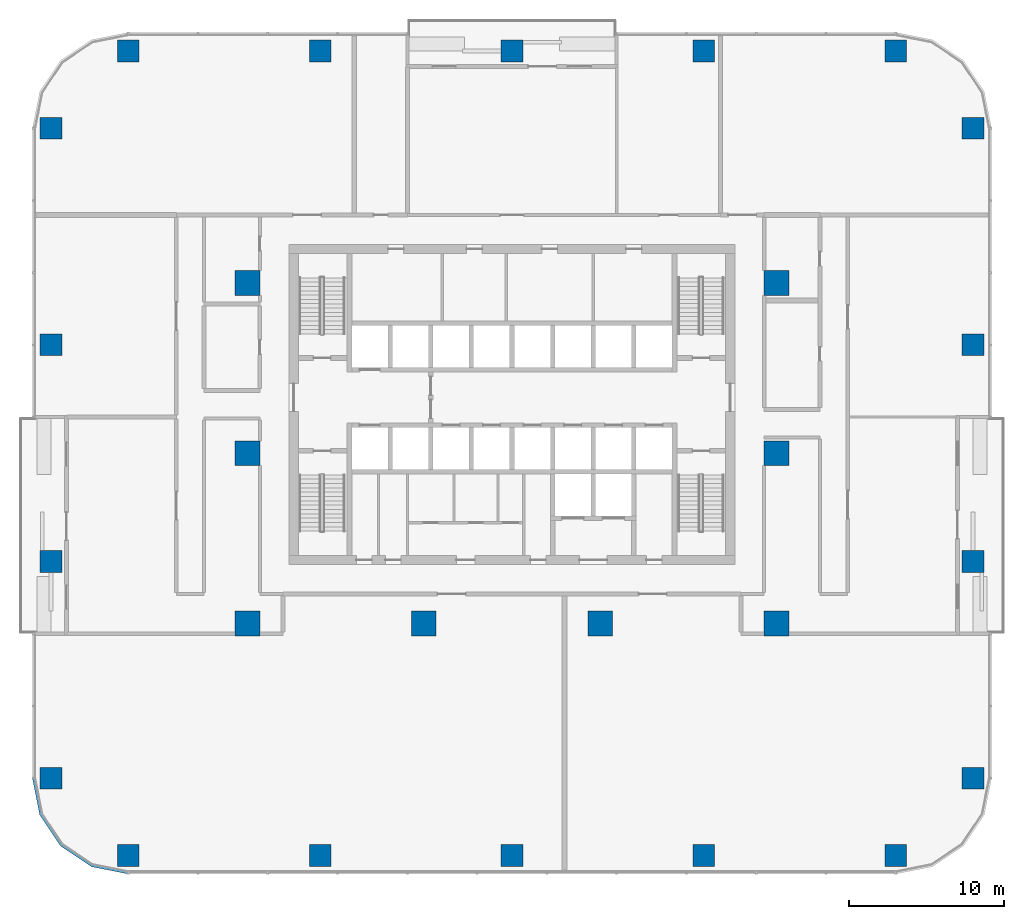
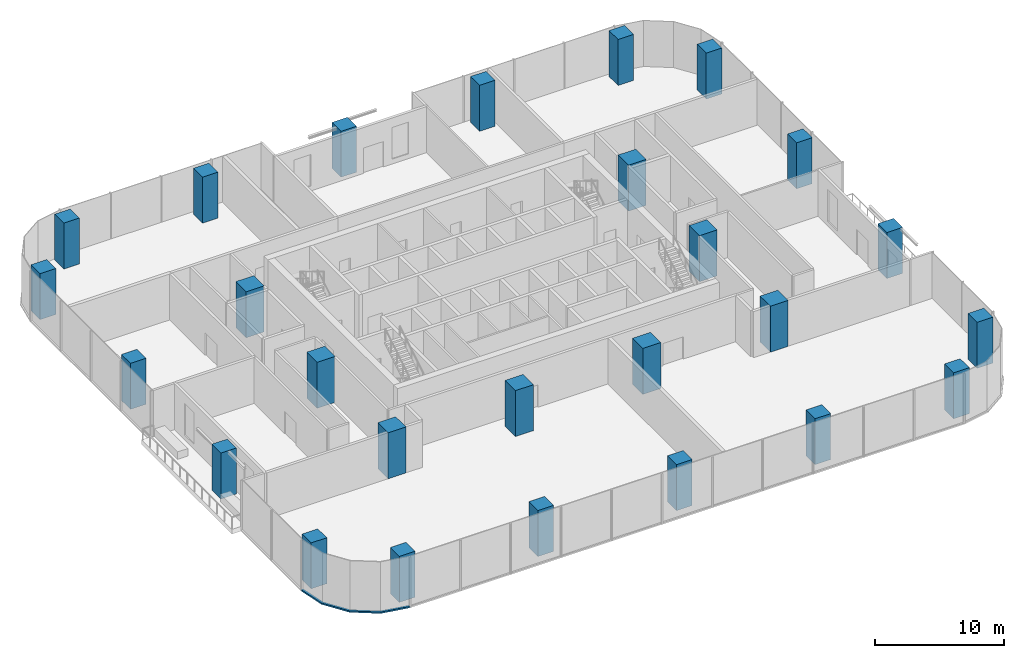
# One storey, part 1 of 14: 26 columns, 1 member, 1 element without a shape of its own.
"""IFC4 building model written with IfcOpenShell, lengths in metres."""

import ifcopenshell
import ifcopenshell.guid

model = None  # the IFC model being written
_history = None  # IfcOwnerHistory: only IFC2X3 demands one
_inside = {}  # id of a spatial element -> (the spatial element, [elements in it])
_under = {}  # id of a project, library or spatial element -> (it, [spatial elements below it])
_declared = {}  # id of a project -> (the project, [libraries it declares])
_typed = {}  # id of a type object -> (the type object, [elements of that type])
_made_of = {}  # id of a material, layer set ... -> (it, [elements and type objects made of it])


def new_model(schema):
    """Start an empty IFC model of exactly this schema.

    Asked for "IFC4X3", IfcOpenShell would pick the latest addendum, in which some entities
    have other attributes; the version numbers below select the first issue.
    IFC2X3 requires an IfcOwnerHistory on every rooted entity: one is made here for all.
    """
    global model, _history
    if schema == "IFC4X3":
        model = ifcopenshell.file(schema_version=(4, 3, 0, 0))
    else:
        model = ifcopenshell.file(schema=schema)
    _inside.clear()
    _under.clear()
    _declared.clear()
    _typed.clear()
    _made_of.clear()
    _history = None
    if model.schema == "IFC2X3":
        org = make("IfcOrganization", Name="unknown")
        user = make(
            "IfcPersonAndOrganization",
            ThePerson=make("IfcPerson", FamilyName="unknown"),
            TheOrganization=org,
        )
        app = make(
            "IfcApplication",
            ApplicationDeveloper=org,
            Version="unknown",
            ApplicationFullName="unknown",
            ApplicationIdentifier="unknown",
        )
        _history = make(
            "IfcOwnerHistory",
            OwningUser=user,
            OwningApplication=app,
            ChangeAction="ADDED",
            CreationDate=0,
        )
    return model


def make(cls, **values):
    """One entity of the class cls with the attributes given. An attribute that is None is left unset."""
    return model.create_entity(
        cls, **{name: value for name, value in values.items() if value is not None}
    )


def rooted(cls, **values):
    """An entity with a GlobalId (a new one), such as an element, a storey or a relation."""
    return make(cls, GlobalId=ifcopenshell.guid.new(), OwnerHistory=_history, **values)


def si_unit(unit_type, name, prefix=None):
    """IfcSIUnit, for example si_unit("LENGTHUNIT", "METRE", prefix="MILLI")."""
    return make("IfcSIUnit", UnitType=unit_type, Prefix=prefix, Name=name)


def assignment(units):
    """IfcUnitAssignment: the units of a project."""
    return None if units is None else make("IfcUnitAssignment", Units=units)


def point(xyz):
    """IfcCartesianPoint."""
    return None if xyz is None else make("IfcCartesianPoint", Coordinates=xyz)


def direction(xyz):
    """IfcDirection."""
    return None if xyz is None else make("IfcDirection", DirectionRatios=xyz)


def frame(location, z_axis=None, x_axis=None):
    """IfcAxis2Placement3D, a coordinate frame: its origin and axes. An axis left out is left unset."""
    return make(
        "IfcAxis2Placement3D",
        Location=point(location),
        Axis=direction(z_axis),
        RefDirection=direction(x_axis),
    )


def frame_2d(location, x_axis=None):
    """IfcAxis2Placement2D, a coordinate frame in the plane: its origin and x axis."""
    return make(
        "IfcAxis2Placement2D", Location=point(location), RefDirection=direction(x_axis)
    )


def origin():
    """The frame at (0, 0, 0) with its axes left unset."""
    return frame((0.0, 0.0, 0.0))


def origin_2d():
    """The frame at (0, 0) in the plane with its x axis left unset."""
    return frame_2d((0.0, 0.0))


def place(relative_to, where):
    """IfcLocalPlacement: puts the frame where relative to a parent placement (None: the world)."""
    return make(
        "IfcLocalPlacement", PlacementRelTo=relative_to, RelativePlacement=where
    )


def context(
    kind, dimensions, precision=None, world=None, true_north=None, identifier=None
):
    """IfcGeometricRepresentationContext, for example the 3D "Model" context."""
    return make(
        "IfcGeometricRepresentationContext",
        ContextIdentifier=identifier,
        ContextType=kind,
        CoordinateSpaceDimension=dimensions,
        Precision=precision,
        WorldCoordinateSystem=world,
        TrueNorth=true_north,
    )


def subcontext(parent, identifier, kind, view, scale=None):
    """IfcGeometricRepresentationSubContext, for example "Body" below "Model"."""
    return make(
        "IfcGeometricRepresentationSubContext",
        ContextIdentifier=identifier,
        ContextType=kind,
        ParentContext=parent,
        TargetScale=scale,
        TargetView=view,
    )


def project(units=None, contexts=None):
    """IfcProject with its units and contexts."""
    return rooted(
        "IfcProject",
        Name="project",
        RepresentationContexts=contexts,
        UnitsInContext=assignment(units),
    )


def spatial(cls, under=None, at=None, **own):
    """A site, building, storey or space (cls), placed at a placement, below another one or the project."""
    s = rooted(cls, ObjectPlacement=at, **own)
    if under is not None:
        _under.setdefault(under.id(), (under, []))[1].append(s)
    return s


def polyline(points):
    """IfcPolyline through the points."""
    return make("IfcPolyline", Points=[point(p) for p in points])


def profile(cls, at=None, kind="AREA", **sizes):
    """A parametric profile (cls). Its sizes go by their IFC names, for example OverallWidth=200.0."""
    return make(cls, ProfileType=kind, Position=at, **sizes)


def rectangle(**sizes):
    """IfcRectangleProfileDef."""
    return profile("IfcRectangleProfileDef", **sizes)


def outline(outer, holes=None, kind="AREA"):
    """IfcArbitraryClosedProfileDef: a profile drawn as a closed curve; with holes, ...WithVoids."""
    if holes is None:
        return make("IfcArbitraryClosedProfileDef", ProfileType=kind, OuterCurve=outer)
    return make(
        "IfcArbitraryProfileDefWithVoids",
        ProfileType=kind,
        OuterCurve=outer,
        InnerCurves=holes,
    )


def extrude(swept, where, along, depth):
    """IfcExtrudedAreaSolid: the profile swept, set in the frame where, extruded along a direction by depth."""
    return make(
        "IfcExtrudedAreaSolid",
        SweptArea=swept,
        Position=where,
        ExtrudedDirection=direction(along),
        Depth=depth,
    )


def shape(context_of_items, identifier, shape_type, items):
    """IfcShapeRepresentation: the items that make up one representation, for example the "Body"."""
    return make(
        "IfcShapeRepresentation",
        ContextOfItems=context_of_items,
        RepresentationIdentifier=identifier,
        RepresentationType=shape_type,
        Items=items,
    )


def material(Name=None, Category=None):
    """IfcMaterial."""
    return make("IfcMaterial", Name=Name, Category=Category)


def material_profile(
    of_material, cross_section, Name=None, Category=None, Priority=None
):
    """IfcMaterialProfile: a cross section and its material."""
    return make(
        "IfcMaterialProfile",
        Name=Name,
        Material=of_material,
        Profile=cross_section,
        Priority=Priority,
        Category=Category,
    )


def profile_set(profiles, Name=None, composite=None):
    """IfcMaterialProfileSet."""
    return make(
        "IfcMaterialProfileSet",
        Name=Name,
        MaterialProfiles=profiles,
        CompositeProfile=composite,
    )


def made_of(thing, what):
    """Note that an element or type object is made of a material, layer set ...; save() writes the relation."""
    if what is not None:
        _made_of.setdefault(what.id(), (what, []))[1].append(thing)
    return thing


def type_object(cls, material=None, **own):
    """A type object (cls), such as IfcWallType, which elements share."""
    return made_of(rooted(cls, **own), material)


def element(
    cls,
    number,
    at=None,
    inside=None,
    cuts=None,
    type_object=None,
    material=None,
    context=None,
    identifier="Body",
    shape_type=None,
    held_by="IfcProductDefinitionShape",
    body=None,
    shapes=None,
    **own,
):
    """One element of the class cls, such as IfcWall. Its Tag is "e" and its number.

    at: its placement. inside: the storey or other place that contains it. cuts: it is an
    opening in that element (IfcRelVoidsElement). A single representation is given by context,
    identifier, shape_type and body (its items); several are given by shapes. held_by: the class
    of the entity that holds the representations. save() writes the other relations.
    """
    e = rooted(cls, Tag="e%d" % number, ObjectPlacement=at, **own)
    if body is not None:
        shapes = [shape(context, identifier, shape_type, body)]
    if shapes is not None:
        e.Representation = make(held_by, Representations=shapes)
    if inside is not None:
        _inside.setdefault(inside.id(), (inside, []))[1].append(e)
    if cuts is not None:
        rooted(
            "IfcRelVoidsElement", RelatingBuildingElement=cuts, RelatedOpeningElement=e
        )
    if type_object is not None:
        _typed.setdefault(type_object.id(), (type_object, []))[1].append(e)
    return made_of(e, material)


def aggregate(whole, parts):
    """IfcRelAggregates: a whole, such as a stair, and the parts it consists of."""
    return rooted("IfcRelAggregates", RelatingObject=whole, RelatedObjects=parts)


def save(model, path):
    """Write the relations noted so far, then the file.

    IfcRelAggregates (storeys below a building ...), IfcRelContainedInSpatialStructure (elements
    in a storey), IfcRelDefinesByType, IfcRelAssociatesMaterial and IfcRelDeclares: one each for
    every whole, place, type object, material and project.
    """
    for whole, parts in _under.values():
        aggregate(whole, parts)
    for where, things in _inside.values():
        rooted(
            "IfcRelContainedInSpatialStructure",
            RelatedElements=things,
            RelatingStructure=where,
        )
    for kind, things in _typed.values():
        rooted("IfcRelDefinesByType", RelatedObjects=things, RelatingType=kind)
    for what, things in _made_of.values():
        rooted("IfcRelAssociatesMaterial", RelatedObjects=things, RelatingMaterial=what)
    for by, libraries in _declared.values():
        rooted("IfcRelDeclares", RelatingContext=by, RelatedDefinitions=libraries)
    model.write(path)


model = new_model("IFC4")

# Units and contexts
model_context = context("Model", 3, precision=1e-05, world=origin(), true_north=direction((0.0, 1.0)))
body_context = subcontext(model_context, "Body", "Model", "MODEL_VIEW")
ifc_project = project(units=[si_unit("LENGTHUNIT", "METRE"), si_unit("AREAUNIT", "SQUARE_METRE"), si_unit("VOLUMEUNIT", "CUBIC_METRE"), si_unit("PLANEANGLEUNIT", "RADIAN"), si_unit("MASSUNIT", "GRAM", prefix="KILO")], contexts=[model_context])

# Site, building, storey
site_placement = place(None, origin())
site = spatial("IfcSite", under=ifc_project, at=site_placement, CompositionType="ELEMENT")
building_placement = place(site_placement, origin())
building = spatial("IfcBuilding", under=site, at=building_placement, Name="Mopane Tessera Tower", CompositionType="ELEMENT")
storey_placement = place(building_placement, frame((0.0, 0.0, 40.60009765625)))
storey = spatial("IfcBuildingStorey", under=building, at=storey_placement, Name="L07", CompositionType="ELEMENT", Elevation=40.60009765625)

# Columns
ifc_material_1 = material(Name="Concrete C60/75", Category="concrete")
ifc_material_profile_1 = material_profile(ifc_material_1, rectangle(XDim=1.60009765625, YDim=1.60009765625, at=origin_2d()))
ifc_profile_set_1 = profile_set([ifc_material_profile_1], Name="Concrete C60/75")
column_type_1 = type_object("IfcColumnType", Name="Interior column 1600 x 1600 C60/75", PredefinedType="COLUMN", material=ifc_profile_set_1)
for number, where, z_axis, x_axis, name in (
    (1, (-17.10009765625, -11.0, 0.0), (0.0, 0.0, 1.0), (1.0, 0.0, 0.0), "Interior column I1A L07"),
    (2, (-17.10009765625, 0.0, 0.0), (0.0, 0.0, 1.0), (1.0, 0.0, 0.0), "Interior column I1B L07"),
    (3, (-17.10009765625, 11.0, 0.0), (0.0, 0.0, 1.0), (1.0, 0.0, 0.0), "Interior column I1C L07"),
    (4, (-5.699951171875, -11.0, 0.0), (0.0, 0.0, 1.0), (1.0, 0.0, 0.0), "Interior column I2A L07"),
    (5, (5.699951171875, -11.0, 0.0), (0.0, 0.0, 1.0), (1.0, 0.0, 0.0), "Interior column I3A L07"),
    (6, (17.10009765625, -11.0, 0.0), (0.0, 0.0, 1.0), (1.0, 0.0, 0.0), "Interior column I4A L07"),
    (7, (17.10009765625, 0.0, 0.0), (0.0, 0.0, 1.0), (1.0, 0.0, 0.0), "Interior column I4B L07"),
    (8, (17.10009765625, 11.0, 0.0), (0.0, 0.0, 1.0), (1.0, 0.0, 0.0), "Interior column I4C L07"),
):
    element("IfcColumn", number, at=place(storey_placement, frame(where, z_axis=z_axis, x_axis=x_axis)), inside=storey, type_object=column_type_1, Name=name, PredefinedType="COLUMN", context=body_context, shape_type="SweptSolid", body=[
        extrude(rectangle(XDim=1.60009765625, YDim=1.60009765625, at=origin_2d()), origin(), (0.0, 0.0, 1.0), 4.349853515625),
    ])
ifc_material_2 = material(Name="Concrete C60/75", Category="concrete")
ifc_material_profile_2 = material_profile(ifc_material_2, rectangle(XDim=1.39990234375, YDim=1.39990234375, at=origin_2d()))
ifc_profile_set_2 = profile_set([ifc_material_profile_2], Name="Concrete C60/75")
column_type_2 = type_object("IfcColumnType", Name="Ring column 1400 x 1400 C60/75", PredefinedType="COLUMN", material=ifc_profile_set_2)
for number, where, z_axis, x_axis, name in (
    (9, (-24.800048828125, -26.0, 0.0), (0.0, 0.0, 1.0), (1.0, 0.0, 0.0), "Ring column S0 L07"),
    (10, (-12.39990234375, -26.0, 0.0), (0.0, 0.0, 1.0), (1.0, 0.0, 0.0), "Ring column S1 L07"),
    (11, (0.0, -26.0, 0.0), (0.0, 0.0, 1.0), (1.0, 0.0, 0.0), "Ring column S2 L07"),
    (12, (12.39990234375, -26.0, 0.0), (0.0, 0.0, 1.0), (1.0, 0.0, 0.0), "Ring column S3 L07"),
    (13, (24.800048828125, -26.0, 0.0), (0.0, 0.0, 1.0), (1.0, 0.0, 0.0), "Ring column S4 L07"),
    (14, (29.800048828125, -21.0, 0.0), (0.0, 0.0, 1.0), (1.0, 0.0, 0.0), "Ring column E0 L07"),
    (15, (29.800048828125, -7.0, 0.0), (0.0, 0.0, 1.0), (1.0, 0.0, 0.0), "Ring column E1 L07"),
    (16, (29.800048828125, 7.0, 0.0), (0.0, 0.0, 1.0), (1.0, 0.0, 0.0), "Ring column E2 L07"),
    (17, (29.800048828125, 21.0, 0.0), (0.0, 0.0, 1.0), (1.0, 0.0, 0.0), "Ring column E3 L07"),
    (18, (24.800048828125, 26.0, 0.0), (0.0, 0.0, 1.0), (1.0, 0.0, 0.0), "Ring column N0 L07"),
    (19, (12.39990234375, 26.0, 0.0), (0.0, 0.0, 1.0), (1.0, 0.0, 0.0), "Ring column N1 L07"),
    (20, (0.0, 26.0, 0.0), (0.0, 0.0, 1.0), (1.0, 0.0, 0.0), "Ring column N2 L07"),
    (21, (-12.39990234375, 26.0, 0.0), (0.0, 0.0, 1.0), (1.0, 0.0, 0.0), "Ring column N3 L07"),
    (22, (-24.800048828125, 26.0, 0.0), (0.0, 0.0, 1.0), (1.0, 0.0, 0.0), "Ring column N4 L07"),
    (23, (-29.800048828125, 21.0, 0.0), (0.0, 0.0, 1.0), (1.0, 0.0, 0.0), "Ring column W0 L07"),
    (24, (-29.800048828125, 7.0, 0.0), (0.0, 0.0, 1.0), (1.0, 0.0, 0.0), "Ring column W1 L07"),
    (25, (-29.800048828125, -7.0, 0.0), (0.0, 0.0, 1.0), (1.0, 0.0, 0.0), "Ring column W2 L07"),
    (26, (-29.800048828125, -21.0, 0.0), (0.0, 0.0, 1.0), (1.0, 0.0, 0.0), "Ring column W3 L07"),
):
    element("IfcColumn", number, at=place(storey_placement, frame(where, z_axis=z_axis, x_axis=x_axis)), inside=storey, type_object=column_type_2, Name=name, PredefinedType="COLUMN", context=body_context, shape_type="SweptSolid", body=[
        extrude(rectangle(XDim=1.39990234375, YDim=1.39990234375, at=origin_2d()), origin(), (0.0, 0.0, 1.0), 4.349853515625),
    ])

# Curtain wall, member
ifc_material_3 = material(Name="Aluminium frame", Category="aluminium")
curtain_wall_type = type_object("IfcCurtainWallType", Name="Lower tower unitised wall", PredefinedType="NOTDEFINED", material=ifc_material_3)
curtain_wall_placement = place(storey_placement, origin())
curtain_wall = element("IfcCurtainWall", 27, at=curtain_wall_placement, inside=storey, type_object=curtain_wall_type, Name="e:cw:L07:CW", PredefinedType="NOTDEFINED")
ifc_material_4 = material(Name="Aluminium frame", Category="aluminium")
ifc_material_profile_3 = material_profile(ifc_material_4, rectangle(XDim=0.199951171875, YDim=0.139892578125, at=origin_2d()))
ifc_profile_set_3 = profile_set([ifc_material_profile_3], Name="Aluminium frame")
member_type = type_object("IfcMemberType", Name="Aluminium transom 200 x 140", PredefinedType="USERDEFINED", material=ifc_profile_set_3)
member_placement = place(storey_placement, frame((0.0, 0.0, -0.4501953125)))
member = element("IfcMember", 28, at=member_placement, type_object=member_type, Name="e:cw:L07:CW:tr", ObjectType="TRANSOM", PredefinedType="USERDEFINED", context=body_context, shape_type="SweptSolid", body=[
    extrude(outline(polyline([(-30.800048828125, -21.0), (-30.34326171875, -23.296142578125), (-29.042724609375, -25.24267578125), (-27.09619140625, -26.543212890625), (-24.800048828125, -27.0), (-24.800048828125, -27.199951171875), (-27.172607421875, -26.72802734375), (-29.18408203125, -25.384033203125), (-30.528076171875, -23.37255859375), (-31.0, -21.0), (-30.800048828125, -21.0)])), origin(), (0.0, 0.0, 1.0), 0.14013671875),
])
aggregate(curtain_wall, [member])

save(model, "model.ifc")
